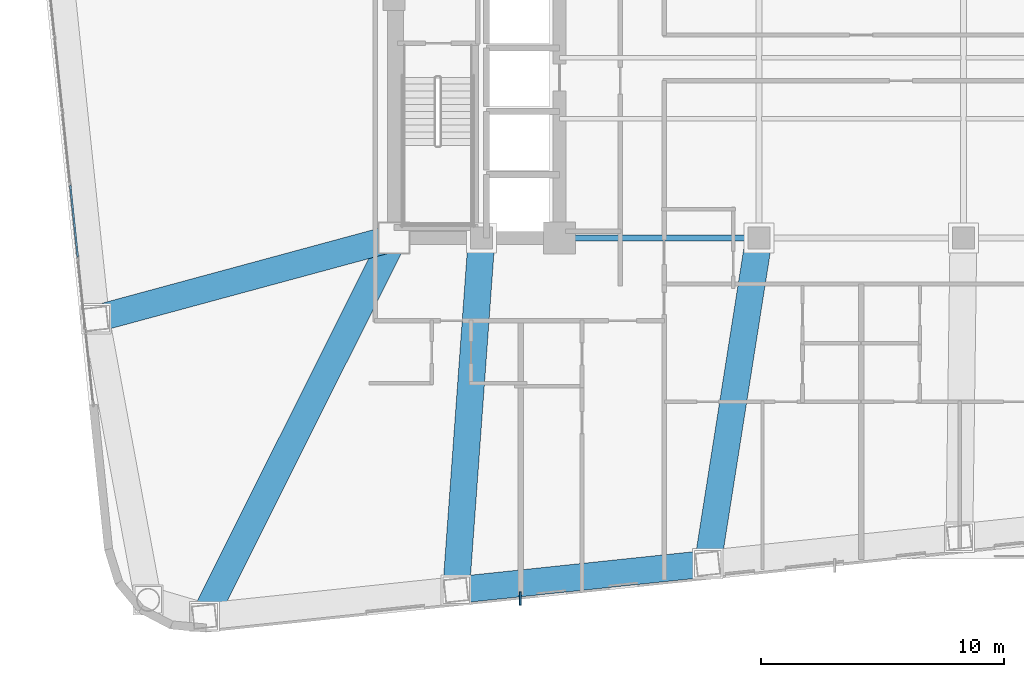
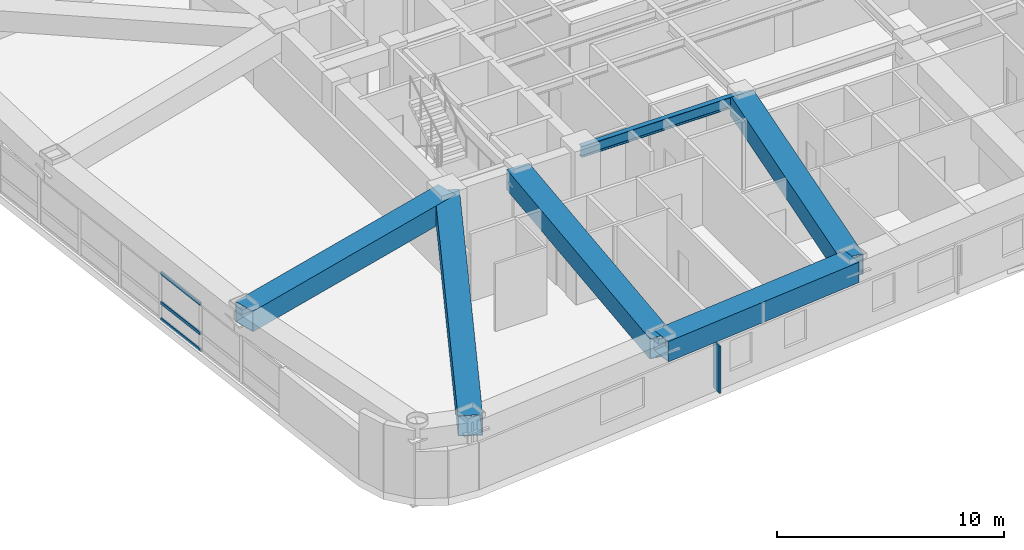
# One storey, part 3 of 15: 6 beams, 4 members, 1 element without a shape of its own.
"""IFC4 building model written with IfcOpenShell, lengths in metres."""

from ifc_helpers import new_model, si_unit, direction, frame, origin, origin_2d, place, context, subcontext, project, spatial, rectangle, hollow_rectangle, i_section, extrude, material, layer, layer_set, material_profile, profile_set, type_object, element, aggregate, save


model = new_model("IFC4")

# Units and contexts
model_context = context("Model", 3, precision=1e-05, world=origin(), true_north=direction((0.0, 1.0)))
body_context = subcontext(model_context, "Body", "Model", "MODEL_VIEW")
ifc_project = project(units=[si_unit("LENGTHUNIT", "METRE"), si_unit("AREAUNIT", "SQUARE_METRE"), si_unit("VOLUMEUNIT", "CUBIC_METRE"), si_unit("PLANEANGLEUNIT", "RADIAN"), si_unit("MASSUNIT", "GRAM", prefix="KILO")], contexts=[model_context])

# Site, building, storey
site_placement = place(None, origin())
site = spatial("IfcSite", under=ifc_project, at=site_placement, CompositionType="ELEMENT")
building_placement = place(site_placement, origin())
building = spatial("IfcBuilding", under=site, at=building_placement, Name="Voryun Gate Residences", CompositionType="ELEMENT")
storey_placement = place(building_placement, frame((0.0, 0.0, 140.39990234375)))
storey = spatial("IfcBuildingStorey", under=building, at=storey_placement, Name="L34", CompositionType="ELEMENT", Elevation=140.39990234375)

# Beams
ifc_material_1 = material(Name="Steel SM420", Category="steel")
ifc_material_profile_1 = material_profile(ifc_material_1, hollow_rectangle(XDim=1.10009765625, YDim=1.10009765625, WallThickness=0.035888671875, at=origin_2d()), Name="BOX-1100x1100x36")
ifc_profile_set_1 = profile_set([ifc_material_profile_1], Name="Steel SM420")
beam_type_1 = type_object("IfcBeamType", Name="BM_ARCH_RIB", PredefinedType="USERDEFINED", material=ifc_profile_set_1)
beam_1_placement = place(storey_placement, frame((-16.650146484375, -21.87255859375, 3.10009765625), z_axis=(0.994521263116, 0.104534478571, 0.0), x_axis=(-0.104534478571, 0.994521263116, 0.0)))
element("IfcBeam", 1, at=beam_1_placement, inside=storey, type_object=beam_type_1, Name="BM-L34-SPAND-02", ObjectType="GIRDER", PredefinedType="USERDEFINED", context=body_context, shape_type="SweptSolid", body=[
    extrude(hollow_rectangle(XDim=1.10009765625, YDim=1.10009765625, WallThickness=0.035888671875, at=origin_2d()), origin(), (0.0, 0.0, 1.0), 10.39990234375),
])
beam_2_placement = place(storey_placement, frame((-19.199951171875, -7.39990234375, 3.10009765625), z_axis=(-0.447830780254, -0.894118332357, 0.0), x_axis=(0.894118332357, -0.447830780254, 0.0)))
element("IfcBeam", 2, at=beam_2_placement, inside=storey, type_object=beam_type_1, Name="BM-L34-RAD-S1", ObjectType="GIRDER", PredefinedType="USERDEFINED", context=body_context, shape_type="SweptSolid", body=[
    extrude(hollow_rectangle(XDim=1.10009765625, YDim=1.10009765625, WallThickness=0.035888671875, at=origin_2d()), origin(), (0.0, 0.0, 1.0), 17.402099609375),
])
beam_3_placement = place(storey_placement, frame((-15.60009765625, -7.39990234375, 3.10009765625), z_axis=(-0.072363766769, -0.99737830599, 0.0), x_axis=(0.99737830599, -0.072363766769, 0.0)))
element("IfcBeam", 3, at=beam_3_placement, inside=storey, type_object=beam_type_1, Name="BM-L34-RAD-S2", ObjectType="GIRDER", PredefinedType="USERDEFINED", context=body_context, shape_type="SweptSolid", body=[
    extrude(hollow_rectangle(XDim=1.10009765625, YDim=1.10009765625, WallThickness=0.035888671875, at=origin_2d()), origin(), (0.0, 0.0, 1.0), 14.5107421875),
])
beam_4_placement = place(storey_placement, frame((-4.199951171875, -7.39990234375, 3.10009765625), z_axis=(-0.155507352157, -0.987834734875, 0.0), x_axis=(0.987834734875, -0.155507352157, 0.0)))
element("IfcBeam", 4, at=beam_4_placement, inside=storey, type_object=beam_type_1, Name="BM-L34-RAD-S3", ObjectType="GIRDER", PredefinedType="USERDEFINED", context=body_context, shape_type="SweptSolid", body=[
    extrude(hollow_rectangle(XDim=1.10009765625, YDim=1.10009765625, WallThickness=0.035888671875, at=origin_2d()), origin(), (0.0, 0.0, 1.0), 13.55029296875),
])
beam_5_placement = place(storey_placement, frame((-19.199951171875, -7.39990234375, 3.10009765625), z_axis=(-0.965202497616, -0.261503611058, 0.0), x_axis=(0.261503611058, -0.965202497616, 0.0)))
element("IfcBeam", 5, at=beam_5_placement, inside=storey, type_object=beam_type_1, Name="BM-L34-RAD-W2", ObjectType="GIRDER", PredefinedType="USERDEFINED", context=body_context, shape_type="SweptSolid", body=[
    extrude(hollow_rectangle(XDim=1.10009765625, YDim=1.10009765625, WallThickness=0.035888671875, at=origin_2d()), origin(), (0.0, 0.0, 1.0), 12.688720703125),
])
ifc_material_2 = material(Name="Steel SM355", Category="steel")
ifc_material_profile_2 = material_profile(ifc_material_2, i_section(OverallWidth=0.25, OverallDepth=0.60009765625, WebThickness=0.011962890625, FlangeThickness=0.02197265625, FilletRadius=0.01806640625, at=origin_2d()), Name="H-600x250x12x22")
ifc_profile_set_2 = profile_set([ifc_material_profile_2], Name="Steel SM355")
beam_type_2 = type_object("IfcBeamType", Name="BM_GIRD_600", PredefinedType="USERDEFINED", material=ifc_profile_set_2)
beam_6_placement = place(storey_placement, frame((-12.39990234375, -7.39990234375, 3.35009765625), z_axis=(1.0, 0.0, 0.0), x_axis=(0.0, 1.0, 0.0)))
element("IfcBeam", 6, at=beam_6_placement, inside=storey, type_object=beam_type_2, Name="BM-L34-SPG1-S", ObjectType="GIRDER", PredefinedType="USERDEFINED", context=body_context, shape_type="SweptSolid", body=[
    extrude(i_section(OverallWidth=0.25, OverallDepth=0.60009765625, WebThickness=0.011962890625, FlangeThickness=0.02197265625, FilletRadius=0.01806640625, at=origin_2d()), origin(), (0.0, 0.0, 1.0), 8.199951171875),
])

# Curtain wall, members
ifc_material_3 = material(Name="Anodised aluminium", Category="aluminium")
ifc_layer = layer(ifc_material_3, 0.2099609375, Name="CW_SYS_SKYGARDEN_DARK_GLASS")
ifc_layer_set = layer_set([ifc_layer], Name="Anodised aluminium")
curtain_wall_type = type_object("IfcCurtainWallType", Name="CW_SYS_SKYGARDEN_DARK_GLASS", PredefinedType="NOTDEFINED", material=ifc_layer_set)
curtain_wall_placement = place(storey_placement, origin())
curtain_wall = element("IfcCurtainWall", 7, at=curtain_wall_placement, inside=storey, type_object=curtain_wall_type, Name="Curtain wall CW5-L34-SG-06", PredefinedType="NOTDEFINED")
ifc_material_4 = material(Name="Anodised aluminium", Category="aluminium")
ifc_material_profile_3 = material_profile(ifc_material_4, hollow_rectangle(XDim=0.074951171875, YDim=0.169921875, WallThickness=0.0048828125, at=origin_2d()), Name="ALU-TRAN-170x75x5")
ifc_profile_set_3 = profile_set([ifc_material_profile_3], Name="Anodised aluminium")
member_type_1 = type_object("IfcMemberType", Name="CW_TRAN_SKY", PredefinedType="USERDEFINED", material=ifc_profile_set_3)
member_1_placement = place(storey_placement, frame((-32.1953125, -8.19091796875, 0.030029296875), z_axis=(-0.104560790128, 0.994518497147, 0.0), x_axis=(-0.994518497147, -0.104560790128, 0.0)))
member_1 = element("IfcMember", 8, at=member_1_placement, type_object=member_type_1, Name="CW5 transom 3.1", ObjectType="TRANSOM", PredefinedType="USERDEFINED", context=body_context, shape_type="SweptSolid", body=[
    extrude(hollow_rectangle(XDim=0.074951171875, YDim=0.169921875, WallThickness=0.0048828125, at=origin_2d()), origin(), (0.0, 0.0, 1.0), 2.972412109375),
])
member_2_placement = place(storey_placement, frame((-32.1953125, -8.19091796875, 0.91455078125), z_axis=(-0.104560790128, 0.994518497147, 0.0), x_axis=(-0.994518497147, -0.104560790128, 0.0)))
member_2 = element("IfcMember", 9, at=member_2_placement, type_object=member_type_1, Name="CW5 transom 3.2", ObjectType="TRANSOM", PredefinedType="USERDEFINED", context=body_context, shape_type="SweptSolid", body=[
    extrude(hollow_rectangle(XDim=0.074951171875, YDim=0.169921875, WallThickness=0.0048828125, at=origin_2d()), origin(), (0.0, 0.0, 1.0), 2.972412109375),
])
member_3_placement = place(storey_placement, frame((-32.1953125, -8.19091796875, 2.510009765625), z_axis=(-0.104560790128, 0.994518497147, 0.0), x_axis=(-0.994518497147, -0.104560790128, 0.0)))
member_3 = element("IfcMember", 10, at=member_3_placement, type_object=member_type_1, Name="CW5 transom 3.3", ObjectType="TRANSOM", PredefinedType="USERDEFINED", context=body_context, shape_type="SweptSolid", body=[
    extrude(hollow_rectangle(XDim=0.074951171875, YDim=0.169921875, WallThickness=0.0048828125, at=origin_2d()), origin(), (0.0, 0.0, 1.0), 2.972412109375),
])
ifc_material_5 = material(Name="Anodised aluminium", Category="aluminium")
ifc_material_profile_4 = material_profile(ifc_material_5, rectangle(XDim=0.080078125, YDim=0.550048828125, at=origin_2d()), Name="ALU-EAVE-80x550")
ifc_profile_set_4 = profile_set([ifc_material_profile_4], Name="Anodised aluminium")
member_type_2 = type_object("IfcMemberType", Name="MBR_PAGODA_EAVE_FIN", PredefinedType="USERDEFINED", material=ifc_profile_set_4)
member_4_placement = place(storey_placement, frame((-14.005859375, -22.21728515625, 0.0), z_axis=(0.0, 0.0, 1.0), x_axis=(1.0, 0.0, 0.0)))
member_4 = element("IfcMember", 11, at=member_4_placement, type_object=member_type_2, Name="Pagoda sunshade fin FIN-L34-03", ObjectType="SUNSHADE", PredefinedType="USERDEFINED", context=body_context, shape_type="SweptSolid", body=[
    extrude(rectangle(XDim=0.080078125, YDim=0.550048828125, at=origin_2d()), origin(), (0.0, 0.0, 1.0), 2.5400390625),
])
aggregate(curtain_wall, [member_1, member_2, member_3, member_4])

save(model, "model.ifc")
